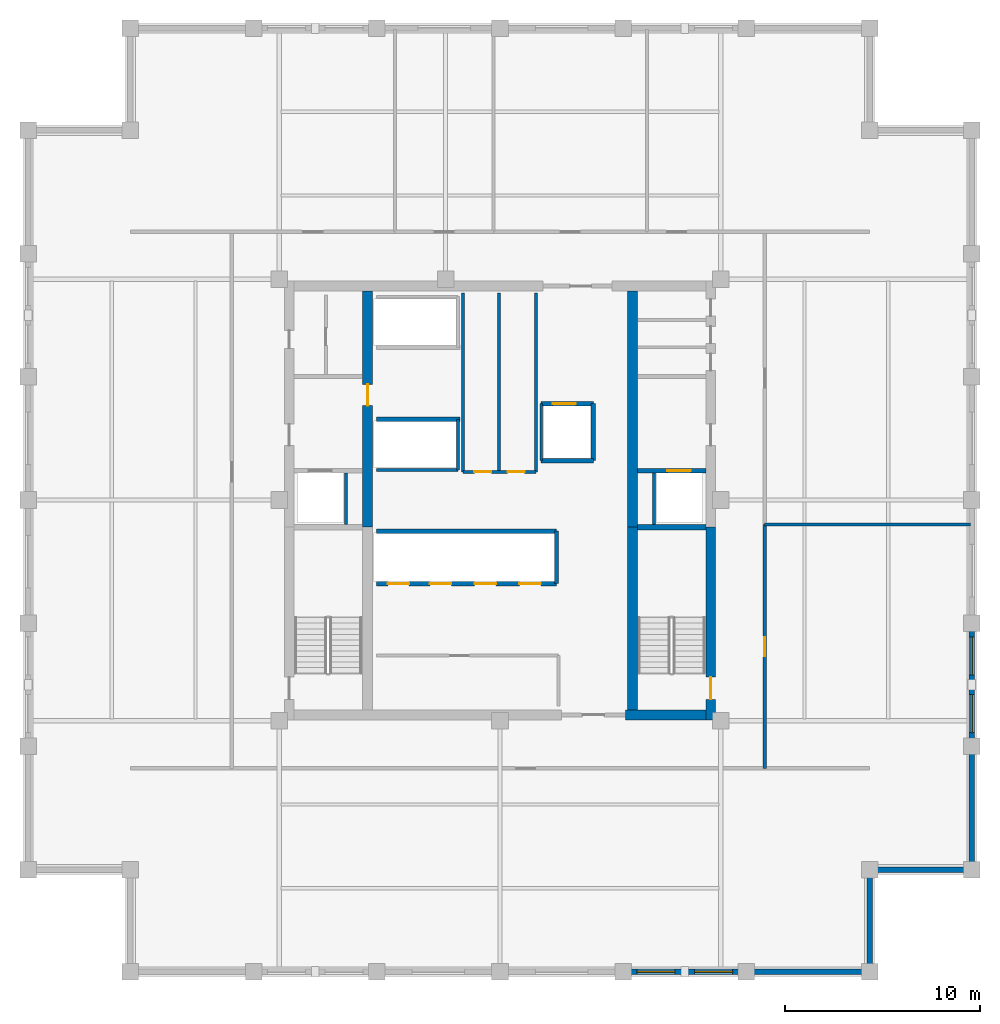
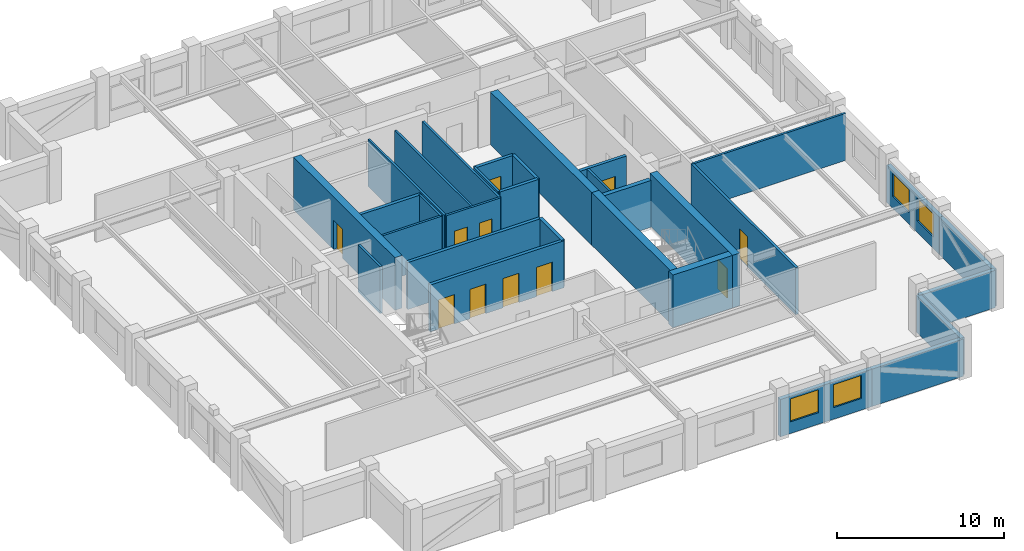
# One storey, part 3 of 6: 31 walls, 11 doors, 4 windows, 15 openings.
"""IFC4 building model written with IfcOpenShell, lengths in metres."""

from ifc_helpers import new_model, si_unit, direction, frame, frame_2d, origin, place, context, subcontext, project, spatial, rectangle, extrude, material, layer, layer_set, type_object, element, fill, save


model = new_model("IFC4")

# Units and contexts
model_context = context("Model", 3, precision=1e-05, world=origin(), true_north=direction((0.0, 1.0)))
body_context = subcontext(model_context, "Body", "Model", "MODEL_VIEW")
ifc_project = project(units=[si_unit("LENGTHUNIT", "METRE"), si_unit("AREAUNIT", "SQUARE_METRE"), si_unit("VOLUMEUNIT", "CUBIC_METRE"), si_unit("PLANEANGLEUNIT", "RADIAN"), si_unit("MASSUNIT", "GRAM", prefix="KILO")], contexts=[model_context])

# Site, building, storey
site_placement = place(None, origin())
site = spatial("IfcSite", under=ifc_project, at=site_placement, CompositionType="ELEMENT")
building_placement = place(site_placement, origin())
building = spatial("IfcBuilding", under=site, at=building_placement, Name="Nhamokura Convention Tower", CompositionType="ELEMENT")
storey_placement = place(building_placement, frame((0.0, 0.0, 248.5)))
storey = spatial("IfcBuildingStorey", under=building, at=storey_placement, Name="L61", CompositionType="ELEMENT", Elevation=248.5)

# Wall, openings, windows
ifc_material_1 = material(Name="Bronze-pigmented precast concrete C45/55", Category="concrete")
ifc_layer_1 = layer(ifc_material_1, 0.280029296875)
ifc_layer_set_1 = layer_set([ifc_layer_1], Name="BronzePrecastSpandrel_280")
wall_type_1 = type_object("IfcWallType", Name="BronzePrecastSpandrel_280", PredefinedType="USERDEFINED", material=ifc_layer_set_1)
wall_1_placement = place(storey_placement, frame((44.666748046875, 7.75, 0.0), z_axis=(0.0, 0.0, 1.0), x_axis=(-1.0, 0.0, 0.0)))
wall_1 = element("IfcWall", 1, at=wall_1_placement, inside=storey, type_object=wall_type_1, Name="L61 Masonry-Frame Wall SOUTH 4", ObjectType="SPANDREL_WALL", PredefinedType="USERDEFINED", context=body_context, shape_type="SweptSolid", body=[
    extrude(rectangle(XDim=6.33349609375, YDim=0.280029296875, at=frame_2d((3.166748046875, 0.0))), origin(), (0.0, 0.0, 1.0), 2.72998046875),
])
opening_1_placement = place(wall_1_placement, frame((0.708251953125, 0.0, 0.85009765625)))
opening_1 = element("IfcOpeningElement", 2, at=opening_1_placement, cuts=wall_1, Name="Opening W-08", PredefinedType="OPENING", context=body_context, shape_type="SweptSolid", body=[
    extrude(rectangle(XDim=1.949951171875, YDim=1.679931640625, at=frame_2d((0.97509765625, 0.83984375))), frame((0.0, 0.14990234375, 0.0), z_axis=(0.0, -1.0, 0.0), x_axis=(1.0, 0.0, 0.0)), (0.0, 0.0, 1.0), 0.300048828125),
])
opening_2_placement = place(wall_1_placement, frame((3.675048828125, 0.0, 0.85009765625)))
opening_2 = element("IfcOpeningElement", 3, at=opening_2_placement, cuts=wall_1, Name="Opening W-08", PredefinedType="OPENING", context=body_context, shape_type="SweptSolid", body=[
    extrude(rectangle(XDim=1.949951171875, YDim=1.679931640625, at=frame_2d((0.97509765625, 0.83984375))), frame((0.0, 0.14990234375, 0.0), z_axis=(0.0, -1.0, 0.0), x_axis=(1.0, 0.0, 0.0)), (0.0, 0.0, 1.0), 0.300048828125),
])
ifc_material_2 = material(Name="Solar-control bronze low-E double glass", Category="glass")
window_type = type_object("IfcWindowType", Name="OfficeModuleWindow_Z3_1950", PartitioningType="SINGLE_PANEL", PredefinedType="WINDOW", material=ifc_material_2)
window_1_placement = place(opening_1_placement, origin())
window_1 = element("IfcWindow", 4, at=window_1_placement, inside=storey, type_object=window_type, Name="L61 Facade Window SOUTH 4-1", OverallHeight=1.679931640625, OverallWidth=1.949951171875, PartitioningType="SINGLE_PANEL", PredefinedType="WINDOW", context=body_context, shape_type="SweptSolid", body=[
    extrude(rectangle(XDim=1.949951171875, YDim=1.679931640625, at=frame_2d((0.97509765625, 0.83984375))), frame((0.0, 0.030029296875, 0.0), z_axis=(0.0, -1.0, 0.0), x_axis=(1.0, 0.0, 0.0)), (0.0, 0.0, 1.0), 0.06005859375),
])
fill(opening_1, window_1)
window_2_placement = place(opening_2_placement, origin())
window_2 = element("IfcWindow", 5, at=window_2_placement, inside=storey, type_object=window_type, Name="L61 Facade Window SOUTH 4-2", OverallHeight=1.679931640625, OverallWidth=1.949951171875, PartitioningType="SINGLE_PANEL", PredefinedType="WINDOW", context=body_context, shape_type="SweptSolid", body=[
    extrude(rectangle(XDim=1.949951171875, YDim=1.679931640625, at=frame_2d((0.97509765625, 0.83984375))), frame((0.0, 0.030029296875, 0.0), z_axis=(0.0, -1.0, 0.0), x_axis=(1.0, 0.0, 0.0)), (0.0, 0.0, 1.0), 0.06005859375),
])
fill(opening_2, window_2)

# Walls
for number, where, z_axis, x_axis, name in (
    (6, (51.0, 7.75, 0.0), (0.0, 0.0, 1.0), (-1.0, 0.0, 0.0), "L61 Braced-Bay Precast Wall SOUTH 5"),
    (7, (56.25, 19.333251953125, 0.0), (0.0, 0.0, 1.0), (0.0, -1.0, 0.0), "L61 Braced-Bay Precast Wall EAST 0"),
):
    element("IfcWall", number, at=place(storey_placement, frame(where, z_axis=z_axis, x_axis=x_axis)), inside=storey, type_object=wall_type_1, Name=name, ObjectType="SPANDREL_WALL", PredefinedType="USERDEFINED", context=body_context, shape_type="SweptSolid", body=[
        extrude(rectangle(XDim=6.333251953125, YDim=0.280029296875, at=frame_2d((3.16650390625, 0.0))), origin(), (0.0, 0.0, 1.0), 2.72998046875),
    ])

# Wall, openings, windows
wall_2_placement = place(storey_placement, frame((56.25, 25.666748046875, 0.0), z_axis=(0.0, 0.0, 1.0), x_axis=(0.0, -1.0, 0.0)))
wall_2 = element("IfcWall", 8, at=wall_2_placement, inside=storey, type_object=wall_type_1, Name="L61 Masonry-Frame Wall EAST 1", ObjectType="SPANDREL_WALL", PredefinedType="USERDEFINED", context=body_context, shape_type="SweptSolid", body=[
    extrude(rectangle(XDim=6.33349609375, YDim=0.280029296875, at=frame_2d((3.166748046875, 0.0))), origin(), (0.0, 0.0, 1.0), 2.72998046875),
])
opening_3_placement = place(wall_2_placement, frame((0.708251953125, 0.0, 0.85009765625)))
opening_3 = element("IfcOpeningElement", 9, at=opening_3_placement, cuts=wall_2, Name="Opening W-08", PredefinedType="OPENING", context=body_context, shape_type="SweptSolid", body=[
    extrude(rectangle(XDim=1.949951171875, YDim=1.679931640625, at=frame_2d((0.97509765625, 0.83984375))), frame((0.0, 0.14990234375, 0.0), z_axis=(0.0, -1.0, 0.0), x_axis=(1.0, 0.0, 0.0)), (0.0, 0.0, 1.0), 0.300048828125),
])
opening_4_placement = place(wall_2_placement, frame((3.675048828125, 0.0, 0.85009765625)))
opening_4 = element("IfcOpeningElement", 10, at=opening_4_placement, cuts=wall_2, Name="Opening W-08", PredefinedType="OPENING", context=body_context, shape_type="SweptSolid", body=[
    extrude(rectangle(XDim=1.949951171875, YDim=1.679931640625, at=frame_2d((0.97509765625, 0.83984375))), frame((0.0, 0.14990234375, 0.0), z_axis=(0.0, -1.0, 0.0), x_axis=(1.0, 0.0, 0.0)), (0.0, 0.0, 1.0), 0.300048828125),
])
window_3_placement = place(opening_3_placement, origin())
window_3 = element("IfcWindow", 11, at=window_3_placement, inside=storey, type_object=window_type, Name="L61 Facade Window EAST 1-1", OverallHeight=1.679931640625, OverallWidth=1.949951171875, PartitioningType="SINGLE_PANEL", PredefinedType="WINDOW", context=body_context, shape_type="SweptSolid", body=[
    extrude(rectangle(XDim=1.949951171875, YDim=1.679931640625, at=frame_2d((0.97509765625, 0.83984375))), frame((0.0, 0.030029296875, 0.0), z_axis=(0.0, -1.0, 0.0), x_axis=(1.0, 0.0, 0.0)), (0.0, 0.0, 1.0), 0.06005859375),
])
fill(opening_3, window_3)
window_4_placement = place(opening_4_placement, origin())
window_4 = element("IfcWindow", 12, at=window_4_placement, inside=storey, type_object=window_type, Name="L61 Facade Window EAST 1-2", OverallHeight=1.679931640625, OverallWidth=1.949951171875, PartitioningType="SINGLE_PANEL", PredefinedType="WINDOW", context=body_context, shape_type="SweptSolid", body=[
    extrude(rectangle(XDim=1.949951171875, YDim=1.679931640625, at=frame_2d((0.97509765625, 0.83984375))), frame((0.0, 0.030029296875, 0.0), z_axis=(0.0, -1.0, 0.0), x_axis=(1.0, 0.0, 0.0)), (0.0, 0.0, 1.0), 0.06005859375),
])
fill(opening_4, window_4)

# Walls
for number, where, z_axis, x_axis, name in (
    (13, (51.0, 13.0, 0.0), (0.0, 0.0, 1.0), (0.0, -1.0, 0.0), "L61 Notched Corner Wall SE1"),
    (14, (56.25, 13.0, 0.0), (0.0, 0.0, 1.0), (-1.0, 0.0, 0.0), "L61 Notched Corner Wall SE2"),
):
    element("IfcWall", number, at=place(storey_placement, frame(where, z_axis=z_axis, x_axis=x_axis)), inside=storey, type_object=wall_type_1, Name=name, ObjectType="SPANDREL_WALL", PredefinedType="USERDEFINED", context=body_context, shape_type="SweptSolid", body=[
        extrude(rectangle(XDim=5.25, YDim=0.280029296875, at=frame_2d((2.625, 0.0))), origin(), (0.0, 0.0, 1.0), 2.72998046875),
    ])

# Wall, opening, door
ifc_material_3 = material(Name="Concrete C60/75", Category="concrete")
ifc_layer_2 = layer(ifc_material_3, 0.5)
ifc_layer_set_2 = layer_set([ifc_layer_2], Name="CoreShearWall_500")
wall_type_2 = type_object("IfcWallType", Name="CoreShearWall_500", PredefinedType="SHEAR", material=ifc_layer_set_2)
wall_3_placement = place(storey_placement, frame((42.840087890625, 20.699951171875, 0.0), z_axis=(0.0, 0.0, 1.0), x_axis=(0.0, 1.0, 0.0)))
wall_3 = element("IfcWall", 15, at=wall_3_placement, inside=storey, type_object=wall_type_2, Name="L61 Core Shear Wall CW-ES", PredefinedType="SHEAR", context=body_context, shape_type="SweptSolid", body=[
    extrude(rectangle(XDim=9.900146484375, YDim=0.5, at=frame_2d((4.9501953125, 0.0))), origin(), (0.0, 0.0, 1.0), 3.85009765625),
])
opening_5_placement = place(wall_3_placement, frame((1.050048828125, 0.0, 0.0)))
opening_5 = element("IfcOpeningElement", 16, at=opening_5_placement, cuts=wall_3, Name="Opening D-04", PredefinedType="OPENING", context=body_context, shape_type="SweptSolid", body=[
    extrude(rectangle(XDim=1.14990234375, YDim=2.14990234375, at=frame_2d((0.574951171875, 1.074951171875))), frame((0.0, 0.260009765625, 0.0), z_axis=(0.0, -1.0, 0.0), x_axis=(1.0, 0.0, 0.0)), (0.0, 0.0, 1.0), 0.52001953125),
])
ifc_material_4 = material(Name="Fire-rated steel door", Category="steel")
door_type_1 = type_object("IfcDoorType", Name="StairSmokeDoor_1150", OperationType="NOTDEFINED", PredefinedType="DOOR", material=ifc_material_4)
door_1_placement = place(opening_5_placement, origin())
door_1 = element("IfcDoor", 17, at=door_1_placement, inside=storey, type_object=door_type_1, Name="L61 Core Door INT-L61-D-ST02", OperationType="SINGLE_SWING_RIGHT", OverallHeight=2.14990234375, OverallWidth=1.14990234375, PredefinedType="DOOR", context=body_context, shape_type="SweptSolid", body=[
    extrude(rectangle(XDim=1.14990234375, YDim=2.14990234375, at=frame_2d((0.574951171875, 1.074951171875))), frame((0.0, 0.02490234375, 0.0), z_axis=(0.0, -1.0, 0.0), x_axis=(1.0, 0.0, 0.0)), (0.0, 0.0, 1.0), 0.050048828125),
])
fill(opening_5, door_1)

# Wall
wall_4_placement = place(storey_placement, frame((38.449951171875, 20.949951171875, 0.0), z_axis=(0.0, 0.0, 1.0), x_axis=(1.0, 0.0, 0.0)))
element("IfcWall", 18, at=wall_4_placement, inside=storey, type_object=wall_type_2, Name="L61 Core Shear Wall CW-S2", PredefinedType="SHEAR", context=body_context, shape_type="SweptSolid", body=[
    extrude(rectangle(XDim=4.14013671875, YDim=0.5, at=frame_2d((2.070068359375, 0.0))), origin(), (0.0, 0.0, 1.0), 3.85009765625),
])

# Wall, opening, door
wall_5_placement = place(storey_placement, frame((25.18994140625, 30.60009765625, 0.0), z_axis=(0.0, 0.0, 1.0), x_axis=(0.0, 1.0, 0.0)))
wall_5 = element("IfcWall", 19, at=wall_5_placement, inside=storey, type_object=wall_type_2, Name="L61 Core Shear Wall CW-IWN", PredefinedType="SHEAR", context=body_context, shape_type="SweptSolid", body=[
    extrude(rectangle(XDim=12.14990234375, YDim=0.5, at=frame_2d((6.074951171875, 0.0))), origin(), (0.0, 0.0, 1.0), 3.85009765625),
])
opening_6_placement = place(wall_5_placement, frame((6.25, 0.0, 0.0)))
opening_6 = element("IfcOpeningElement", 20, at=opening_6_placement, cuts=wall_5, Name="Opening D-05", PredefinedType="OPENING", context=body_context, shape_type="SweptSolid", body=[
    extrude(rectangle(XDim=1.10009765625, YDim=2.14990234375, at=frame_2d((0.550048828125, 1.074951171875))), frame((0.0, 0.260009765625, 0.0), z_axis=(0.0, -1.0, 0.0), x_axis=(1.0, 0.0, 0.0)), (0.0, 0.0, 1.0), 0.52001953125),
])
ifc_material_5 = material(Name="Fire-rated steel door", Category="steel")
door_type_2 = type_object("IfcDoorType", Name="FireLobbyDoor_1100", OperationType="NOTDEFINED", PredefinedType="DOOR", material=ifc_material_5)
door_2_placement = place(opening_6_placement, origin())
door_2 = element("IfcDoor", 21, at=door_2_placement, inside=storey, type_object=door_type_2, Name="L61 Core Door INT-L61-D-B3LOB", OperationType="SINGLE_SWING_LEFT", OverallHeight=2.14990234375, OverallWidth=1.10009765625, PredefinedType="DOOR", context=body_context, shape_type="SweptSolid", body=[
    extrude(rectangle(XDim=1.10009765625, YDim=2.14990234375, at=frame_2d((0.550048828125, 1.074951171875))), frame((0.0, 0.02490234375, 0.0), z_axis=(0.0, -1.0, 0.0), x_axis=(1.0, 0.0, 0.0)), (0.0, 0.0, 1.0), 0.050048828125),
])
fill(opening_6, door_2)

# Walls
wall_6_placement = place(storey_placement, frame((38.81005859375, 21.199951171875, 0.0), z_axis=(0.0, 0.0, 1.0), x_axis=(0.0, 1.0, 0.0)))
element("IfcWall", 22, at=wall_6_placement, inside=storey, type_object=wall_type_2, Name="L61 Core Shear Wall CW-IES", PredefinedType="SHEAR", context=body_context, shape_type="SweptSolid", body=[
    extrude(rectangle(XDim=9.400146484375, YDim=0.5, at=frame_2d((4.7001953125, 0.0))), origin(), (0.0, 0.0, 1.0), 3.85009765625),
])
wall_7_placement = place(storey_placement, frame((38.81005859375, 30.60009765625, 0.0), z_axis=(0.0, 0.0, 1.0), x_axis=(0.0, 1.0, 0.0)))
element("IfcWall", 23, at=wall_7_placement, inside=storey, type_object=wall_type_2, Name="L61 Core Shear Wall CW-IEN", PredefinedType="SHEAR", context=body_context, shape_type="SweptSolid", body=[
    extrude(rectangle(XDim=12.14990234375, YDim=0.5, at=frame_2d((6.074951171875, 0.0))), origin(), (0.0, 0.0, 1.0), 3.85009765625),
])

# Wall, opening, door
ifc_material_6 = material(Name="Fire-rated gypsum and masonry partition", Category="masonry")
ifc_layer_3 = layer(ifc_material_6, 0.179931640625)
ifc_layer_set_3 = layer_set([ifc_layer_3], Name="CorridorRatedWall_180")
wall_type_3 = type_object("IfcWallType", Name="CorridorRatedWall_180", PredefinedType="STANDARD", material=ifc_layer_set_3)
wall_8_placement = place(storey_placement, frame((45.60009765625, 18.199951171875, 0.0), z_axis=(0.0, 0.0, 1.0), x_axis=(0.0, 1.0, 0.0)))
wall_8 = element("IfcWall", 24, at=wall_8_placement, inside=storey, type_object=wall_type_3, Name="L61 Wall INT-L61-CW-E00", PredefinedType="STANDARD", context=body_context, shape_type="SweptSolid", body=[
    extrude(rectangle(XDim=12.550048828125, YDim=0.179931640625, at=frame_2d((6.27490234375, 0.0))), origin(), (0.0, 0.0, 1.0), 3.429931640625),
])
opening_7_placement = place(wall_8_placement, frame((5.77490234375, 0.0, 0.0)))
opening_7 = element("IfcOpeningElement", 25, at=opening_7_placement, cuts=wall_8, Name="Opening D-08", PredefinedType="OPENING", context=body_context, shape_type="SweptSolid", body=[
    extrude(rectangle(XDim=0.97998046875, YDim=2.199951171875, at=frame_2d((0.489990234375, 1.10009765625))), frame((0.0, 0.099853515625, 0.0), z_axis=(0.0, -1.0, 0.0), x_axis=(1.0, 0.0, 0.0)), (0.0, 0.0, 1.0), 0.199951171875),
])
ifc_material_7 = material(Name="Solid oak hardwood", Category="wood")
door_type_3 = type_object("IfcDoorType", Name="OfficeEntryDoor_980", OperationType="NOTDEFINED", PredefinedType="DOOR", material=ifc_material_7)
door_3_placement = place(opening_7_placement, origin())
door_3 = element("IfcDoor", 26, at=door_3_placement, inside=storey, type_object=door_type_3, Name="L61 Recreation Lounge E01 Door", OperationType="SINGLE_SWING_LEFT", OverallHeight=2.199951171875, OverallWidth=0.97998046875, PredefinedType="DOOR", context=body_context, shape_type="SweptSolid", body=[
    extrude(rectangle(XDim=0.97998046875, YDim=2.199951171875, at=frame_2d((0.489990234375, 1.10009765625))), frame((0.0, 0.02490234375, 0.0), z_axis=(0.0, -1.0, 0.0), x_axis=(1.0, 0.0, 0.0)), (0.0, 0.0, 1.0), 0.050048828125),
])
fill(opening_7, door_3)

ifc_material_8 = material(Name="Autoclaved concrete blockwork", Category="masonry")
ifc_layer_4 = layer(ifc_material_8, 0.219970703125)
ifc_layer_set_4 = layer_set([ifc_layer_4], Name="FireLobbyWall_220")
wall_type_4 = type_object("IfcWallType", Name="FireLobbyWall_220", PredefinedType="STANDARD", material=ifc_layer_set_4)
wall_9_placement = place(storey_placement, frame((39.06005859375, 33.5, 0.0), z_axis=(0.0, 0.0, 1.0), x_axis=(1.0, 0.0, 0.0)))
wall_9 = element("IfcWall", 27, at=wall_9_placement, inside=storey, type_object=wall_type_4, Name="L61 Wall INT-L61-FFE-S", PredefinedType="STANDARD", context=body_context, shape_type="SweptSolid", body=[
    extrude(rectangle(XDim=3.530029296875, YDim=0.219970703125, at=frame_2d((1.76513671875, 0.0))), origin(), (0.0, 0.0, 1.0), 3.429931640625),
])
opening_8_placement = place(wall_9_placement, frame((1.550048828125, 0.0, 0.0)))
opening_8 = element("IfcOpeningElement", 28, at=opening_8_placement, cuts=wall_9, Name="Opening LD-02", PredefinedType="OPENING", context=body_context, shape_type="SweptSolid", body=[
    extrude(rectangle(XDim=1.199951171875, YDim=2.199951171875, at=frame_2d((0.60009765625, 1.10009765625))), frame((0.0, 0.119873046875, 0.0), z_axis=(0.0, -1.0, 0.0), x_axis=(1.0, 0.0, 0.0)), (0.0, 0.0, 1.0), 0.239990234375),
])
ifc_material_9 = material(Name="Anodised bronze stainless steel", Category="steel")
door_type_4 = type_object("IfcDoorType", Name="LiftLandingDoor_FireService", OperationType="DOUBLE_DOOR_SLIDING", PredefinedType="DOOR", material=ifc_material_9)
door_4_placement = place(opening_8_placement, origin())
door_4 = element("IfcDoor", 29, at=door_4_placement, inside=storey, type_object=door_type_4, Name="L61 Firefighting Lift LF-02 Door", OperationType="DOUBLE_DOOR_SLIDING", OverallHeight=2.199951171875, OverallWidth=1.199951171875, PredefinedType="DOOR", context=body_context, shape_type="SweptSolid", body=[
    extrude(rectangle(XDim=1.199951171875, YDim=2.199951171875, at=frame_2d((0.60009765625, 1.10009765625))), frame((0.0, 0.02490234375, 0.0), z_axis=(0.0, -1.0, 0.0), x_axis=(1.0, 0.0, 0.0)), (0.0, 0.0, 1.0), 0.050048828125),
])
fill(opening_8, door_4)

# Wall, openings, doors
wall_10_placement = place(storey_placement, frame((25.64990234375, 27.699951171875, 0.0), z_axis=(0.0, 0.0, 1.0), x_axis=(1.0, 0.0, 0.0)))
wall_10 = element("IfcWall", 30, at=wall_10_placement, inside=storey, type_object=wall_type_4, Name="L61 Wall INT-L61-B2S", PredefinedType="STANDARD", context=body_context, shape_type="SweptSolid", body=[
    extrude(rectangle(XDim=9.25, YDim=0.219970703125, at=frame_2d((4.625, 0.0))), origin(), (0.0, 0.0, 1.0), 3.429931640625),
])
opening_9_placement = place(wall_10_placement, frame((0.580078125, 0.0, 0.0)))
opening_9 = element("IfcOpeningElement", 31, at=opening_9_placement, cuts=wall_10, Name="Opening LD-01", PredefinedType="OPENING", context=body_context, shape_type="SweptSolid", body=[
    extrude(rectangle(XDim=1.10009765625, YDim=2.14990234375, at=frame_2d((0.550048828125, 1.074951171875))), frame((0.0, 0.119873046875, 0.0), z_axis=(0.0, -1.0, 0.0), x_axis=(1.0, 0.0, 0.0)), (0.0, 0.0, 1.0), 0.239990234375),
])
opening_10_placement = place(wall_10_placement, frame((2.75, 0.0, 0.0)))
opening_10 = element("IfcOpeningElement", 32, at=opening_10_placement, cuts=wall_10, Name="Opening LD-01", PredefinedType="OPENING", context=body_context, shape_type="SweptSolid", body=[
    extrude(rectangle(XDim=1.10009765625, YDim=2.14990234375, at=frame_2d((0.550048828125, 1.074951171875))), frame((0.0, 0.119873046875, 0.0), z_axis=(0.0, -1.0, 0.0), x_axis=(1.0, 0.0, 0.0)), (0.0, 0.0, 1.0), 0.239990234375),
])
opening_11_placement = place(wall_10_placement, frame((5.050048828125, 0.0, 0.0)))
opening_11 = element("IfcOpeningElement", 33, at=opening_11_placement, cuts=wall_10, Name="Opening LD-01", PredefinedType="OPENING", context=body_context, shape_type="SweptSolid", body=[
    extrude(rectangle(XDim=1.10009765625, YDim=2.14990234375, at=frame_2d((0.550048828125, 1.074951171875))), frame((0.0, 0.119873046875, 0.0), z_axis=(0.0, -1.0, 0.0), x_axis=(1.0, 0.0, 0.0)), (0.0, 0.0, 1.0), 0.239990234375),
])
opening_12_placement = place(wall_10_placement, frame((7.35009765625, 0.0, 0.0)))
opening_12 = element("IfcOpeningElement", 34, at=opening_12_placement, cuts=wall_10, Name="Opening LD-01", PredefinedType="OPENING", context=body_context, shape_type="SweptSolid", body=[
    extrude(rectangle(XDim=1.10009765625, YDim=2.14990234375, at=frame_2d((0.550048828125, 1.074951171875))), frame((0.0, 0.119873046875, 0.0), z_axis=(0.0, -1.0, 0.0), x_axis=(1.0, 0.0, 0.0)), (0.0, 0.0, 1.0), 0.239990234375),
])
ifc_material_10 = material(Name="Anodised bronze stainless steel", Category="steel")
door_type_5 = type_object("IfcDoorType", Name="LiftLandingDoor_Passenger", OperationType="DOUBLE_DOOR_SLIDING", PredefinedType="DOOR", material=ifc_material_10)
door_5_placement = place(opening_9_placement, origin())
door_5 = element("IfcDoor", 35, at=door_5_placement, inside=storey, type_object=door_type_5, Name="L61 Lift LP-05 Landing Door", OperationType="DOUBLE_DOOR_SLIDING", OverallHeight=2.14990234375, OverallWidth=1.10009765625, PredefinedType="DOOR", context=body_context, shape_type="SweptSolid", body=[
    extrude(rectangle(XDim=1.10009765625, YDim=2.14990234375, at=frame_2d((0.550048828125, 1.074951171875))), frame((0.0, 0.02490234375, 0.0), z_axis=(0.0, -1.0, 0.0), x_axis=(1.0, 0.0, 0.0)), (0.0, 0.0, 1.0), 0.050048828125),
])
fill(opening_9, door_5)
door_6_placement = place(opening_10_placement, origin())
door_6 = element("IfcDoor", 36, at=door_6_placement, inside=storey, type_object=door_type_5, Name="L61 Lift LP-06 Landing Door", OperationType="DOUBLE_DOOR_SLIDING", OverallHeight=2.14990234375, OverallWidth=1.10009765625, PredefinedType="DOOR", context=body_context, shape_type="SweptSolid", body=[
    extrude(rectangle(XDim=1.10009765625, YDim=2.14990234375, at=frame_2d((0.550048828125, 1.074951171875))), frame((0.0, 0.02490234375, 0.0), z_axis=(0.0, -1.0, 0.0), x_axis=(1.0, 0.0, 0.0)), (0.0, 0.0, 1.0), 0.050048828125),
])
fill(opening_10, door_6)
door_7_placement = place(opening_11_placement, origin())
door_7 = element("IfcDoor", 37, at=door_7_placement, inside=storey, type_object=door_type_5, Name="L61 Lift LP-07 Landing Door", OperationType="DOUBLE_DOOR_SLIDING", OverallHeight=2.14990234375, OverallWidth=1.10009765625, PredefinedType="DOOR", context=body_context, shape_type="SweptSolid", body=[
    extrude(rectangle(XDim=1.10009765625, YDim=2.14990234375, at=frame_2d((0.550048828125, 1.074951171875))), frame((0.0, 0.02490234375, 0.0), z_axis=(0.0, -1.0, 0.0), x_axis=(1.0, 0.0, 0.0)), (0.0, 0.0, 1.0), 0.050048828125),
])
fill(opening_11, door_7)
door_8_placement = place(opening_12_placement, origin())
door_8 = element("IfcDoor", 38, at=door_8_placement, inside=storey, type_object=door_type_5, Name="L61 Lift LP-08 Landing Door", OperationType="DOUBLE_DOOR_SLIDING", OverallHeight=2.14990234375, OverallWidth=1.10009765625, PredefinedType="DOOR", context=body_context, shape_type="SweptSolid", body=[
    extrude(rectangle(XDim=1.10009765625, YDim=2.14990234375, at=frame_2d((0.550048828125, 1.074951171875))), frame((0.0, 0.02490234375, 0.0), z_axis=(0.0, -1.0, 0.0), x_axis=(1.0, 0.0, 0.0)), (0.0, 0.0, 1.0), 0.050048828125),
])
fill(opening_12, door_8)

# Walls
wall_11_placement = place(storey_placement, frame((25.64990234375, 30.39990234375, 0.0), z_axis=(0.0, 0.0, 1.0), x_axis=(1.0, 0.0, 0.0)))
element("IfcWall", 39, at=wall_11_placement, inside=storey, type_object=wall_type_4, Name="L61 Wall INT-L61-B2N", PredefinedType="STANDARD", context=body_context, shape_type="SweptSolid", body=[
    extrude(rectangle(XDim=9.25, YDim=0.219970703125, at=frame_2d((4.625, 0.0))), origin(), (0.0, 0.0, 1.0), 3.429931640625),
])
wall_12_placement = place(storey_placement, frame((34.89990234375, 27.699951171875, 0.0), z_axis=(0.0, 0.0, 1.0), x_axis=(0.0, 1.0, 0.0)))
element("IfcWall", 40, at=wall_12_placement, inside=storey, type_object=wall_type_4, Name="L61 Wall INT-L61-B2E", PredefinedType="STANDARD", context=body_context, shape_type="SweptSolid", body=[
    extrude(rectangle(XDim=2.699951171875, YDim=0.219970703125, at=frame_2d((1.35009765625, 0.0))), origin(), (0.0, 0.0, 1.0), 3.429931640625),
])
wall_13_placement = place(storey_placement, frame((25.64990234375, 36.14990234375, 0.0), z_axis=(0.0, 0.0, 1.0), x_axis=(1.0, 0.0, 0.0)))
element("IfcWall", 41, at=wall_13_placement, inside=storey, type_object=wall_type_4, Name="L61 Wall INT-L61-B3S", PredefinedType="STANDARD", context=body_context, shape_type="SweptSolid", body=[
    extrude(rectangle(XDim=4.300048828125, YDim=0.219970703125, at=frame_2d((2.14990234375, 0.0))), origin(), (0.0, 0.0, 1.0), 3.429931640625),
])

# Wall, opening, door
wall_14_placement = place(storey_placement, frame((34.1201171875, 36.949951171875, 0.0), z_axis=(0.0, 0.0, 1.0), x_axis=(1.0, 0.0, 0.0)))
wall_14 = element("IfcWall", 42, at=wall_14_placement, inside=storey, type_object=wall_type_4, Name="L61 Wall INT-L61-LSN", PredefinedType="STANDARD", context=body_context, shape_type="SweptSolid", body=[
    extrude(rectangle(XDim=2.679931640625, YDim=0.219970703125, at=frame_2d((1.33984375, 0.0))), origin(), (0.0, 0.0, 1.0), 3.429931640625),
])
opening_13_placement = place(wall_14_placement, frame((0.580078125, 0.0, 0.0)))
opening_13 = element("IfcOpeningElement", 43, at=opening_13_placement, cuts=wall_14, Name="Opening LD-02", PredefinedType="OPENING", context=body_context, shape_type="SweptSolid", body=[
    extrude(rectangle(XDim=1.199951171875, YDim=2.199951171875, at=frame_2d((0.60009765625, 1.10009765625))), frame((0.0, 0.119873046875, 0.0), z_axis=(0.0, -1.0, 0.0), x_axis=(1.0, 0.0, 0.0)), (0.0, 0.0, 1.0), 0.239990234375),
])
door_9_placement = place(opening_13_placement, origin())
door_9 = element("IfcDoor", 44, at=door_9_placement, inside=storey, type_object=door_type_4, Name="L61 Service Lift LS-01 Door", OperationType="DOUBLE_DOOR_SLIDING", OverallHeight=2.199951171875, OverallWidth=1.199951171875, PredefinedType="DOOR", context=body_context, shape_type="SweptSolid", body=[
    extrude(rectangle(XDim=1.199951171875, YDim=2.199951171875, at=frame_2d((0.60009765625, 1.10009765625))), frame((0.0, 0.02490234375, 0.0), z_axis=(0.0, -1.0, 0.0), x_axis=(1.0, 0.0, 0.0)), (0.0, 0.0, 1.0), 0.050048828125),
])
fill(opening_13, door_9)

# Walls
wall_15_placement = place(storey_placement, frame((36.800048828125, 34.02001953125, 0.0), z_axis=(0.0, 0.0, 1.0), x_axis=(0.0, 1.0, 0.0)))
element("IfcWall", 45, at=wall_15_placement, inside=storey, type_object=wall_type_4, Name="L61 Wall INT-L61-LSE", PredefinedType="STANDARD", context=body_context, shape_type="SweptSolid", body=[
    extrude(rectangle(XDim=2.929931640625, YDim=0.219970703125, at=frame_2d((1.46484375, 0.0))), origin(), (0.0, 0.0, 1.0), 3.429931640625),
])
wall_16_placement = place(storey_placement, frame((34.1201171875, 34.02001953125, 0.0), z_axis=(0.0, 0.0, 1.0), x_axis=(1.0, 0.0, 0.0)))
element("IfcWall", 46, at=wall_16_placement, inside=storey, type_object=wall_type_4, Name="L61 Wall INT-L61-LSS", PredefinedType="STANDARD", context=body_context, shape_type="SweptSolid", body=[
    extrude(rectangle(XDim=2.679931640625, YDim=0.219970703125, at=frame_2d((1.33984375, 0.0))), origin(), (0.0, 0.0, 1.0), 3.429931640625),
])
ifc_material_11 = material(Name="Acoustic gypsum stud partition", Category="masonry")
ifc_layer_5 = layer(ifc_material_11, 0.14990234375)
ifc_layer_set_5 = layer_set([ifc_layer_5], Name="InteriorPartition_150")
wall_type_5 = type_object("IfcWallType", Name="InteriorPartition_150", PredefinedType="STANDARD", material=ifc_layer_set_5)
for number, where, z_axis, x_axis, name in (
    (47, (24.080078125, 30.75, 0.0), (0.0, 0.0, 1.0), (0.0, 1.0, 0.0), "L61 Wall INT-L61-FF1-E"),
    (48, (39.919921875, 30.75, 0.0), (0.0, 0.0, 1.0), (0.0, 1.0, 0.0), "L61 Wall INT-L61-FF2-W"),
):
    element("IfcWall", number, at=place(storey_placement, frame(where, z_axis=z_axis, x_axis=x_axis)), inside=storey, type_object=wall_type_5, Name=name, PredefinedType="STANDARD", context=body_context, shape_type="SweptSolid", body=[
        extrude(rectangle(XDim=2.64990234375, YDim=0.14990234375, at=frame_2d((1.324951171875, 0.0))), origin(), (0.0, 0.0, 1.0), 3.429931640625),
    ])
wall_17_placement = place(storey_placement, frame((25.64990234375, 33.550048828125, 0.0), z_axis=(0.0, 0.0, 1.0), x_axis=(1.0, 0.0, 0.0)))
element("IfcWall", 49, at=wall_17_placement, inside=storey, type_object=wall_type_5, Name="L61 Wall INT-L61-B3A-S", PredefinedType="STANDARD", context=body_context, shape_type="SweptSolid", body=[
    extrude(rectangle(XDim=4.2001953125, YDim=0.14990234375, at=frame_2d((2.10009765625, 0.0))), origin(), (0.0, 0.0, 1.0), 3.429931640625),
])
wall_18_placement = place(storey_placement, frame((29.85009765625, 33.550048828125, 0.0), z_axis=(0.0, 0.0, 1.0), x_axis=(0.0, 1.0, 0.0)))
element("IfcWall", 50, at=wall_18_placement, inside=storey, type_object=wall_type_5, Name="L61 Wall INT-L61-B3A-E", PredefinedType="STANDARD", context=body_context, shape_type="SweptSolid", body=[
    extrude(rectangle(XDim=2.599853515625, YDim=0.14990234375, at=frame_2d((1.2998046875, 0.0))), origin(), (0.0, 0.0, 1.0), 3.429931640625),
])
for number, where, z_axis, x_axis, name in (
    (51, (30.10009765625, 33.449951171875, 0.0), (0.0, 0.0, 1.0), (0.0, 1.0, 0.0), "L61 Wall INT-L61-ST03W"),
    (52, (31.949951171875, 33.449951171875, 0.0), (0.0, 0.0, 1.0), (0.0, 1.0, 0.0), "L61 Wall INT-L61-ST03M"),
    (53, (33.85009765625, 33.449951171875, 0.0), (0.0, 0.0, 1.0), (0.0, 1.0, 0.0), "L61 Wall INT-L61-ST03E"),
):
    element("IfcWall", number, at=place(storey_placement, frame(where, z_axis=z_axis, x_axis=x_axis)), inside=storey, type_object=wall_type_5, Name=name, PredefinedType="STANDARD", context=body_context, shape_type="SweptSolid", body=[
        extrude(rectangle(XDim=9.199951171875, YDim=0.14990234375, at=frame_2d((4.60009765625, 0.0))), origin(), (0.0, 0.0, 1.0), 3.429931640625),
    ])

# Wall, openings, doors
wall_19_placement = place(storey_placement, frame((30.10009765625, 33.449951171875, 0.0), z_axis=(0.0, 0.0, 1.0), x_axis=(1.0, 0.0, 0.0)))
wall_19 = element("IfcWall", 54, at=wall_19_placement, inside=storey, type_object=wall_type_5, Name="L61 Wall INT-L61-ST03S", PredefinedType="STANDARD", context=body_context, shape_type="SweptSolid", body=[
    extrude(rectangle(XDim=3.75, YDim=0.14990234375, at=frame_2d((1.875, 0.0))), origin(), (0.0, 0.0, 1.0), 3.429931640625),
])
opening_14_placement = place(wall_19_placement, frame((0.580078125, 0.0, 0.0)))
opening_14 = element("IfcOpeningElement", 55, at=opening_14_placement, cuts=wall_19, Name="Opening D-11", PredefinedType="OPENING", context=body_context, shape_type="SweptSolid", body=[
    extrude(rectangle(XDim=0.8798828125, YDim=2.10009765625, at=frame_2d((0.43994140625, 1.050048828125))), frame((0.0, 0.0849609375, 0.0), z_axis=(0.0, -1.0, 0.0), x_axis=(1.0, 0.0, 0.0)), (0.0, 0.0, 1.0), 0.169921875),
])
opening_15_placement = place(wall_19_placement, frame((2.2900390625, 0.0, 0.0)))
opening_15 = element("IfcOpeningElement", 56, at=opening_15_placement, cuts=wall_19, Name="Opening D-11", PredefinedType="OPENING", context=body_context, shape_type="SweptSolid", body=[
    extrude(rectangle(XDim=0.8798828125, YDim=2.10009765625, at=frame_2d((0.43994140625, 1.050048828125))), frame((0.0, 0.0849609375, 0.0), z_axis=(0.0, -1.0, 0.0), x_axis=(1.0, 0.0, 0.0)), (0.0, 0.0, 1.0), 0.169921875),
])
ifc_material_12 = material(Name="Solid oak hardwood", Category="wood")
door_type_6 = type_object("IfcDoorType", Name="BathroomDoor_880", OperationType="NOTDEFINED", PredefinedType="DOOR", material=ifc_material_12)
door_10_placement = place(opening_14_placement, origin())
door_10 = element("IfcDoor", 57, at=door_10_placement, inside=storey, type_object=door_type_6, Name="L61 Wellness Suite Door", OperationType="SINGLE_SWING_LEFT", OverallHeight=2.10009765625, OverallWidth=0.8798828125, PredefinedType="DOOR", context=body_context, shape_type="SweptSolid", body=[
    extrude(rectangle(XDim=0.8798828125, YDim=2.10009765625, at=frame_2d((0.43994140625, 1.050048828125))), frame((0.0, 0.02490234375, 0.0), z_axis=(0.0, -1.0, 0.0), x_axis=(1.0, 0.0, 0.0)), (0.0, 0.0, 1.0), 0.050048828125),
])
fill(opening_14, door_10)
door_11_placement = place(opening_15_placement, origin())
door_11 = element("IfcDoor", 58, at=door_11_placement, inside=storey, type_object=door_type_6, Name="L61 Records Archive Door", OperationType="SINGLE_SWING_RIGHT", OverallHeight=2.10009765625, OverallWidth=0.8798828125, PredefinedType="DOOR", context=body_context, shape_type="SweptSolid", body=[
    extrude(rectangle(XDim=0.8798828125, YDim=2.10009765625, at=frame_2d((0.43994140625, 1.050048828125))), frame((0.0, 0.02490234375, 0.0), z_axis=(0.0, -1.0, 0.0), x_axis=(1.0, 0.0, 0.0)), (0.0, 0.0, 1.0), 0.050048828125),
])
fill(opening_15, door_11)

# Walls
wall_20_placement = place(storey_placement, frame((34.1201171875, 34.02001953125, 0.0), z_axis=(0.0, 0.0, 1.0), x_axis=(0.0, 1.0, 0.0)))
element("IfcWall", 59, at=wall_20_placement, inside=storey, type_object=wall_type_5, Name="L61 Wall INT-L61-LSW", PredefinedType="STANDARD", context=body_context, shape_type="SweptSolid", body=[
    extrude(rectangle(XDim=2.929931640625, YDim=0.14990234375, at=frame_2d((1.46484375, 0.0))), origin(), (0.0, 0.0, 1.0), 3.429931640625),
])
wall_21_placement = place(storey_placement, frame((45.60009765625, 30.75, 0.0), z_axis=(0.0, 0.0, 1.0), x_axis=(1.0, 0.0, 0.0)))
element("IfcWall", 60, at=wall_21_placement, inside=storey, type_object=wall_type_5, Name="L61 Wall INT-L61-RW-E01", PredefinedType="STANDARD", context=body_context, shape_type="SweptSolid", body=[
    extrude(rectangle(XDim=10.58984375, YDim=0.14990234375, at=frame_2d((5.294921875, 0.0))), origin(), (0.0, 0.0, 1.0), 3.429931640625),
])
ifc_material_13 = material(Name="Concrete C50/60", Category="concrete")
ifc_layer_6 = layer(ifc_material_13, 0.300048828125)
ifc_layer_set_6 = layer_set([ifc_layer_6], Name="ShaftEnclosureWall_300")
wall_type_6 = type_object("IfcWallType", Name="ShaftEnclosureWall_300", PredefinedType="SHEAR", material=ifc_layer_set_6)
wall_22_placement = place(storey_placement, frame((39.06005859375, 30.60009765625, 0.0), z_axis=(0.0, 0.0, 1.0), x_axis=(1.0, 0.0, 0.0)))
element("IfcWall", 61, at=wall_22_placement, inside=storey, type_object=wall_type_6, Name="L61 Wall INT-L61-ST02-N", PredefinedType="SHEAR", context=body_context, shape_type="SweptSolid", body=[
    extrude(rectangle(XDim=3.530029296875, YDim=0.300048828125, at=frame_2d((1.76513671875, 0.0))), origin(), (0.0, 0.0, 1.0), 3.429931640625),
])

save(model, "model.ifc")
